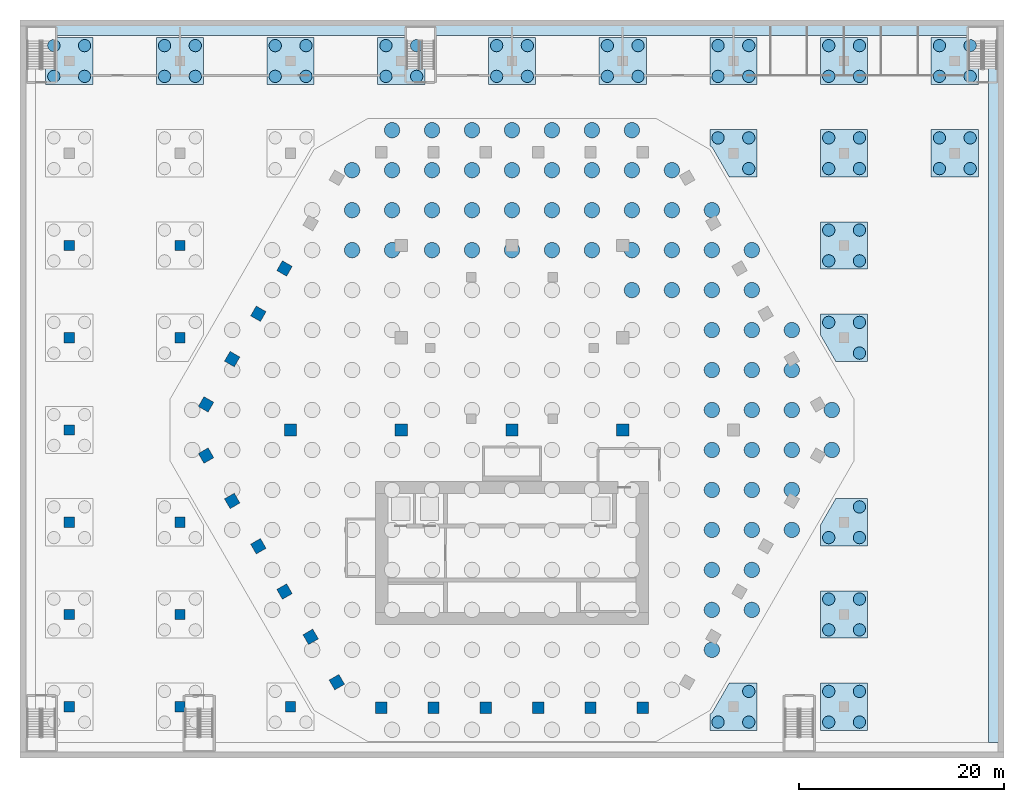
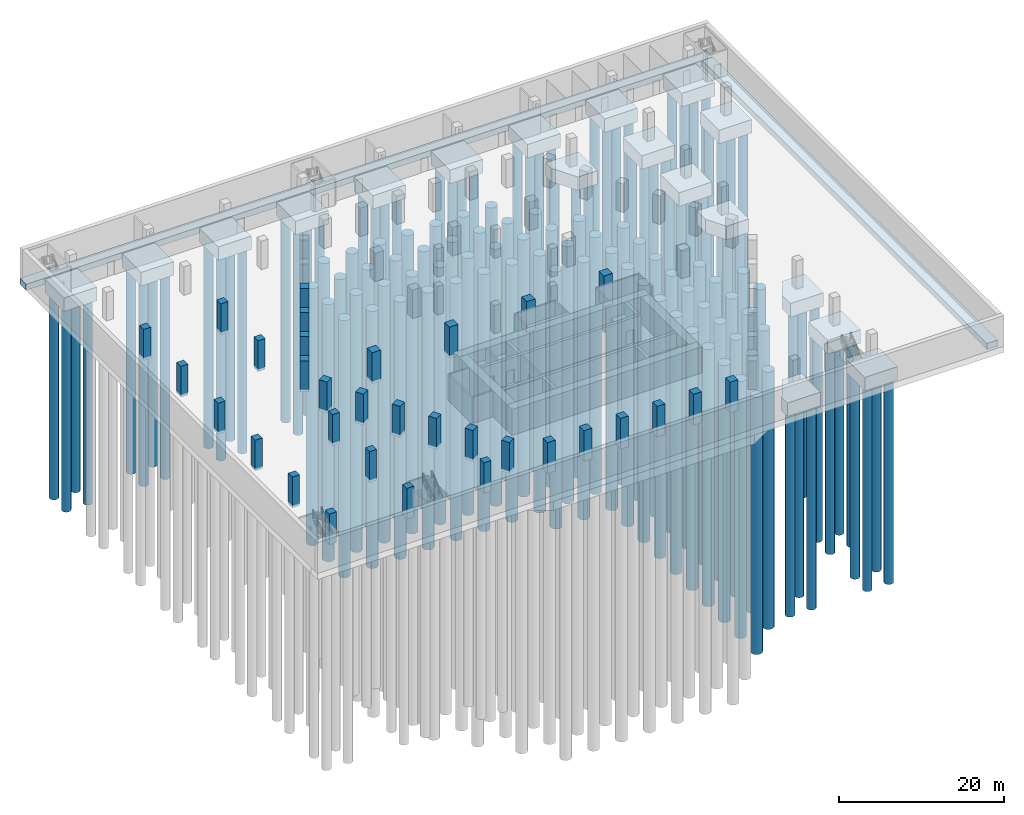
# One storey, part 2 of 21: 134 piles, 32 columns, 20 footings.
"""IFC4 building model written with IfcOpenShell, lengths in metres."""

from ifc_helpers import new_model, si_unit, direction, frame, origin, origin_2d, place, context, subcontext, project, spatial, polyline, rectangle, circle, outline, extrude, material, material_profile, profile_set, type_object, element, save


model = new_model("IFC4")

# Units and contexts
model_context = context("Model", 3, precision=1e-05, world=origin(), true_north=direction((0.0, 1.0)))
body_context = subcontext(model_context, "Body", "Model", "MODEL_VIEW")
ifc_project = project(units=[si_unit("LENGTHUNIT", "METRE"), si_unit("AREAUNIT", "SQUARE_METRE"), si_unit("VOLUMEUNIT", "CUBIC_METRE"), si_unit("PLANEANGLEUNIT", "RADIAN"), si_unit("MASSUNIT", "GRAM", prefix="KILO")], contexts=[model_context])

# Site, building, storey
site_placement = place(None, origin())
site = spatial("IfcSite", under=ifc_project, at=site_placement, CompositionType="ELEMENT")
building_placement = place(site_placement, origin())
building = spatial("IfcBuilding", under=site, at=building_placement, Name="Beryl Residences", CompositionType="ELEMENT")
storey_placement = place(building_placement, frame((0.0, 0.0, -8.39990234375)))
storey = spatial("IfcBuildingStorey", under=building, at=storey_placement, Name="B2", CompositionType="ELEMENT", Elevation=-8.39990234375)

# Piles
ifc_material_1 = material(Name="Concrete C40/50", Category="concrete")
ifc_material_profile_1 = material_profile(ifc_material_1, circle(Radius=0.75, at=origin_2d()))
ifc_profile_set_1 = profile_set([ifc_material_profile_1], Name="Concrete C40/50")
pile_type_1 = type_object("IfcPileType", Name="BP1 bored pile 1500 mm C40/50", PredefinedType="BORED", material=ifc_profile_set_1)
for number, where, z_axis, x_axis, name in (
    (1, (19.5, -21.449951171875, -3.85009765625), (0.0, 0.0, -1.0), (1.0, 0.0, 0.0), "BP1 pile R027"),
    (2, (19.5, -17.550048828125, -3.85009765625), (0.0, 0.0, -1.0), (1.0, 0.0, 0.0), "BP1 pile R039"),
    (3, (23.39990234375, -17.550048828125, -3.85009765625), (0.0, 0.0, -1.0), (1.0, 0.0, 0.0), "BP1 pile R040"),
    (4, (19.5, -13.64990234375, -3.85009765625), (0.0, 0.0, -1.0), (1.0, 0.0, 0.0), "BP1 pile R052"),
    (5, (23.39990234375, -13.64990234375, -3.85009765625), (0.0, 0.0, -1.0), (1.0, 0.0, 0.0), "BP1 pile R053"),
    (6, (19.5, -9.75, -3.85009765625), (0.0, 0.0, -1.0), (1.0, 0.0, 0.0), "BP1 pile R066"),
    (7, (23.39990234375, -9.75, -3.85009765625), (0.0, 0.0, -1.0), (1.0, 0.0, 0.0), "BP1 pile R067"),
    (8, (27.300048828125, -9.75, -3.85009765625), (0.0, 0.0, -1.0), (1.0, 0.0, 0.0), "BP1 pile R068"),
    (9, (19.5, -5.85009765625, -3.85009765625), (0.0, 0.0, -1.0), (1.0, 0.0, 0.0), "BP1 pile R081"),
    (10, (23.39990234375, -5.85009765625, -3.85009765625), (0.0, 0.0, -1.0), (1.0, 0.0, 0.0), "BP1 pile R082"),
    (11, (27.300048828125, -5.85009765625, -3.85009765625), (0.0, 0.0, -1.0), (1.0, 0.0, 0.0), "BP1 pile R083"),
    (12, (19.5, -1.949951171875, -3.85009765625), (0.0, 0.0, -1.0), (1.0, 0.0, 0.0), "BP1 pile R097"),
    (13, (23.39990234375, -1.949951171875, -3.85009765625), (0.0, 0.0, -1.0), (1.0, 0.0, 0.0), "BP1 pile R098"),
    (14, (27.300048828125, -1.949951171875, -3.85009765625), (0.0, 0.0, -1.0), (1.0, 0.0, 0.0), "BP1 pile R099"),
    (15, (31.199951171875, -1.949951171875, -3.85009765625), (0.0, 0.0, -1.0), (1.0, 0.0, 0.0), "BP1 pile R100"),
    (16, (19.5, 1.949951171875, -3.85009765625), (0.0, 0.0, -1.0), (1.0, 0.0, 0.0), "BP1 pile R114"),
    (17, (23.39990234375, 1.949951171875, -3.85009765625), (0.0, 0.0, -1.0), (1.0, 0.0, 0.0), "BP1 pile R115"),
    (18, (27.300048828125, 1.949951171875, -3.85009765625), (0.0, 0.0, -1.0), (1.0, 0.0, 0.0), "BP1 pile R116"),
    (19, (31.199951171875, 1.949951171875, -3.85009765625), (0.0, 0.0, -1.0), (1.0, 0.0, 0.0), "BP1 pile R117"),
    (20, (19.5, 5.85009765625, -3.85009765625), (0.0, 0.0, -1.0), (1.0, 0.0, 0.0), "BP1 pile R130"),
    (21, (23.39990234375, 5.85009765625, -3.85009765625), (0.0, 0.0, -1.0), (1.0, 0.0, 0.0), "BP1 pile R131"),
    (22, (27.300048828125, 5.85009765625, -3.85009765625), (0.0, 0.0, -1.0), (1.0, 0.0, 0.0), "BP1 pile R132"),
    (23, (19.5, 9.75, -3.85009765625), (0.0, 0.0, -1.0), (1.0, 0.0, 0.0), "BP1 pile R145"),
    (24, (23.39990234375, 9.75, -3.85009765625), (0.0, 0.0, -1.0), (1.0, 0.0, 0.0), "BP1 pile R146"),
    (25, (27.300048828125, 9.75, -3.85009765625), (0.0, 0.0, -1.0), (1.0, 0.0, 0.0), "BP1 pile R147"),
    (26, (11.699951171875, 13.64990234375, -3.85009765625), (0.0, 0.0, -1.0), (1.0, 0.0, 0.0), "BP1 pile R157"),
    (27, (15.60009765625, 13.64990234375, -3.85009765625), (0.0, 0.0, -1.0), (1.0, 0.0, 0.0), "BP1 pile R158"),
    (28, (19.5, 13.64990234375, -3.85009765625), (0.0, 0.0, -1.0), (1.0, 0.0, 0.0), "BP1 pile R159"),
    (29, (23.39990234375, 13.64990234375, -3.85009765625), (0.0, 0.0, -1.0), (1.0, 0.0, 0.0), "BP1 pile R160"),
    (30, (-15.60009765625, 17.550048828125, -3.85009765625), (0.0, 0.0, -1.0), (1.0, 0.0, 0.0), "BP1 pile R163"),
    (31, (-11.699951171875, 17.550048828125, -3.85009765625), (0.0, 0.0, -1.0), (1.0, 0.0, 0.0), "BP1 pile R164"),
    (32, (-7.800048828125, 17.550048828125, -3.85009765625), (0.0, 0.0, -1.0), (1.0, 0.0, 0.0), "BP1 pile R165"),
    (33, (-3.89990234375, 17.550048828125, -3.85009765625), (0.0, 0.0, -1.0), (1.0, 0.0, 0.0), "BP1 pile R166"),
    (34, (0.0, 17.550048828125, -3.85009765625), (0.0, 0.0, -1.0), (1.0, 0.0, 0.0), "BP1 pile R167"),
    (35, (3.89990234375, 17.550048828125, -3.85009765625), (0.0, 0.0, -1.0), (1.0, 0.0, 0.0), "BP1 pile R168"),
    (36, (7.800048828125, 17.550048828125, -3.85009765625), (0.0, 0.0, -1.0), (1.0, 0.0, 0.0), "BP1 pile R169"),
    (37, (11.699951171875, 17.550048828125, -3.85009765625), (0.0, 0.0, -1.0), (1.0, 0.0, 0.0), "BP1 pile R170"),
    (38, (15.60009765625, 17.550048828125, -3.85009765625), (0.0, 0.0, -1.0), (1.0, 0.0, 0.0), "BP1 pile R171"),
    (39, (19.5, 17.550048828125, -3.85009765625), (0.0, 0.0, -1.0), (1.0, 0.0, 0.0), "BP1 pile R172"),
    (40, (23.39990234375, 17.550048828125, -3.85009765625), (0.0, 0.0, -1.0), (1.0, 0.0, 0.0), "BP1 pile R173"),
    (41, (-15.60009765625, 21.449951171875, -3.85009765625), (0.0, 0.0, -1.0), (1.0, 0.0, 0.0), "BP1 pile R175"),
    (42, (-11.699951171875, 21.449951171875, -3.85009765625), (0.0, 0.0, -1.0), (1.0, 0.0, 0.0), "BP1 pile R176"),
    (43, (-7.800048828125, 21.449951171875, -3.85009765625), (0.0, 0.0, -1.0), (1.0, 0.0, 0.0), "BP1 pile R177"),
    (44, (-3.89990234375, 21.449951171875, -3.85009765625), (0.0, 0.0, -1.0), (1.0, 0.0, 0.0), "BP1 pile R178"),
    (45, (0.0, 21.449951171875, -3.85009765625), (0.0, 0.0, -1.0), (1.0, 0.0, 0.0), "BP1 pile R179"),
    (46, (3.89990234375, 21.449951171875, -3.85009765625), (0.0, 0.0, -1.0), (1.0, 0.0, 0.0), "BP1 pile R180"),
    (47, (7.800048828125, 21.449951171875, -3.85009765625), (0.0, 0.0, -1.0), (1.0, 0.0, 0.0), "BP1 pile R181"),
    (48, (11.699951171875, 21.449951171875, -3.85009765625), (0.0, 0.0, -1.0), (1.0, 0.0, 0.0), "BP1 pile R182"),
    (49, (15.60009765625, 21.449951171875, -3.85009765625), (0.0, 0.0, -1.0), (1.0, 0.0, 0.0), "BP1 pile R183"),
    (50, (19.5, 21.449951171875, -3.85009765625), (0.0, 0.0, -1.0), (1.0, 0.0, 0.0), "BP1 pile R184"),
    (51, (-15.60009765625, 25.35009765625, -3.85009765625), (0.0, 0.0, -1.0), (1.0, 0.0, 0.0), "BP1 pile R185"),
    (52, (-11.699951171875, 25.35009765625, -3.85009765625), (0.0, 0.0, -1.0), (1.0, 0.0, 0.0), "BP1 pile R186"),
    (53, (-7.800048828125, 25.35009765625, -3.85009765625), (0.0, 0.0, -1.0), (1.0, 0.0, 0.0), "BP1 pile R187"),
    (54, (-3.89990234375, 25.35009765625, -3.85009765625), (0.0, 0.0, -1.0), (1.0, 0.0, 0.0), "BP1 pile R188"),
    (55, (0.0, 25.35009765625, -3.85009765625), (0.0, 0.0, -1.0), (1.0, 0.0, 0.0), "BP1 pile R189"),
    (56, (3.89990234375, 25.35009765625, -3.85009765625), (0.0, 0.0, -1.0), (1.0, 0.0, 0.0), "BP1 pile R190"),
    (57, (7.800048828125, 25.35009765625, -3.85009765625), (0.0, 0.0, -1.0), (1.0, 0.0, 0.0), "BP1 pile R191"),
    (58, (11.699951171875, 25.35009765625, -3.85009765625), (0.0, 0.0, -1.0), (1.0, 0.0, 0.0), "BP1 pile R192"),
    (59, (15.60009765625, 25.35009765625, -3.85009765625), (0.0, 0.0, -1.0), (1.0, 0.0, 0.0), "BP1 pile R193"),
    (60, (-11.699951171875, 29.25, -3.85009765625), (0.0, 0.0, -1.0), (1.0, 0.0, 0.0), "BP1 pile R194"),
    (61, (-7.800048828125, 29.25, -3.85009765625), (0.0, 0.0, -1.0), (1.0, 0.0, 0.0), "BP1 pile R195"),
    (62, (-3.89990234375, 29.25, -3.85009765625), (0.0, 0.0, -1.0), (1.0, 0.0, 0.0), "BP1 pile R196"),
    (63, (0.0, 29.25, -3.85009765625), (0.0, 0.0, -1.0), (1.0, 0.0, 0.0), "BP1 pile R197"),
    (64, (3.89990234375, 29.25, -3.85009765625), (0.0, 0.0, -1.0), (1.0, 0.0, 0.0), "BP1 pile R198"),
    (65, (7.800048828125, 29.25, -3.85009765625), (0.0, 0.0, -1.0), (1.0, 0.0, 0.0), "BP1 pile R199"),
    (66, (11.699951171875, 29.25, -3.85009765625), (0.0, 0.0, -1.0), (1.0, 0.0, 0.0), "BP1 pile R200"),
):
    element("IfcPile", number, at=place(storey_placement, frame(where, z_axis=z_axis, x_axis=x_axis)), inside=storey, type_object=pile_type_1, Name=name, PredefinedType="BORED", context=body_context, shape_type="SweptSolid", body=[
        extrude(circle(Radius=0.75, at=origin_2d()), origin(), (0.0, 0.0, 1.0), 38.0),
    ])
ifc_material_2 = material(Name="Concrete C40/50", Category="concrete")
ifc_material_profile_2 = material_profile(ifc_material_2, circle(Radius=0.60009765625, at=origin_2d()))
ifc_profile_set_2 = profile_set([ifc_material_profile_2], Name="Concrete C40/50")
pile_type_2 = type_object("IfcPileType", Name="BP2 bored pile 1200 mm C40/50", PredefinedType="BORED", material=ifc_profile_set_2)
for number, where, z_axis, x_axis, name in (
    (67, (-44.699951171875, 34.5, -2.35009765625), (0.0, 0.0, -1.0), (1.0, 0.0, 0.0), "BP2 pile PG-1H-1"),
    (68, (-44.699951171875, 37.5, -2.35009765625), (0.0, 0.0, -1.0), (1.0, 0.0, 0.0), "BP2 pile PG-1H-2"),
    (69, (-41.699951171875, 34.5, -2.35009765625), (0.0, 0.0, -1.0), (1.0, 0.0, 0.0), "BP2 pile PG-1H-3"),
    (70, (-41.699951171875, 37.5, -2.35009765625), (0.0, 0.0, -1.0), (1.0, 0.0, 0.0), "BP2 pile PG-1H-4"),
    (71, (-33.89990234375, 34.5, -2.35009765625), (0.0, 0.0, -1.0), (1.0, 0.0, 0.0), "BP2 pile PG-2H-1"),
    (72, (-33.89990234375, 37.5, -2.35009765625), (0.0, 0.0, -1.0), (1.0, 0.0, 0.0), "BP2 pile PG-2H-2"),
    (73, (-30.89990234375, 34.5, -2.35009765625), (0.0, 0.0, -1.0), (1.0, 0.0, 0.0), "BP2 pile PG-2H-3"),
    (74, (-30.89990234375, 37.5, -2.35009765625), (0.0, 0.0, -1.0), (1.0, 0.0, 0.0), "BP2 pile PG-2H-4"),
    (75, (-23.10009765625, 34.5, -2.35009765625), (0.0, 0.0, -1.0), (1.0, 0.0, 0.0), "BP2 pile PG-3H-1"),
    (76, (-23.10009765625, 37.5, -2.35009765625), (0.0, 0.0, -1.0), (1.0, 0.0, 0.0), "BP2 pile PG-3H-2"),
    (77, (-20.10009765625, 34.5, -2.35009765625), (0.0, 0.0, -1.0), (1.0, 0.0, 0.0), "BP2 pile PG-3H-3"),
    (78, (-20.10009765625, 37.5, -2.35009765625), (0.0, 0.0, -1.0), (1.0, 0.0, 0.0), "BP2 pile PG-3H-4"),
    (79, (-12.300048828125, 34.5, -2.35009765625), (0.0, 0.0, -1.0), (1.0, 0.0, 0.0), "BP2 pile PG-4H-1"),
    (80, (-12.300048828125, 37.5, -2.35009765625), (0.0, 0.0, -1.0), (1.0, 0.0, 0.0), "BP2 pile PG-4H-2"),
    (81, (-9.300048828125, 34.5, -2.35009765625), (0.0, 0.0, -1.0), (1.0, 0.0, 0.0), "BP2 pile PG-4H-3"),
    (82, (-9.300048828125, 37.5, -2.35009765625), (0.0, 0.0, -1.0), (1.0, 0.0, 0.0), "BP2 pile PG-4H-4"),
    (83, (-1.5, 34.5, -2.35009765625), (0.0, 0.0, -1.0), (1.0, 0.0, 0.0), "BP2 pile PG-5H-1"),
    (84, (-1.5, 37.5, -2.35009765625), (0.0, 0.0, -1.0), (1.0, 0.0, 0.0), "BP2 pile PG-5H-2"),
    (85, (1.5, 34.5, -2.35009765625), (0.0, 0.0, -1.0), (1.0, 0.0, 0.0), "BP2 pile PG-5H-3"),
    (86, (1.5, 37.5, -2.35009765625), (0.0, 0.0, -1.0), (1.0, 0.0, 0.0), "BP2 pile PG-5H-4"),
    (87, (9.300048828125, 34.5, -2.35009765625), (0.0, 0.0, -1.0), (1.0, 0.0, 0.0), "BP2 pile PG-6H-1"),
    (88, (9.300048828125, 37.5, -2.35009765625), (0.0, 0.0, -1.0), (1.0, 0.0, 0.0), "BP2 pile PG-6H-2"),
    (89, (12.300048828125, 34.5, -2.35009765625), (0.0, 0.0, -1.0), (1.0, 0.0, 0.0), "BP2 pile PG-6H-3"),
    (90, (12.300048828125, 37.5, -2.35009765625), (0.0, 0.0, -1.0), (1.0, 0.0, 0.0), "BP2 pile PG-6H-4"),
    (91, (20.10009765625, -28.5, -2.35009765625), (0.0, 0.0, -1.0), (1.0, 0.0, 0.0), "BP2 pile PG-7A-1"),
    (92, (23.10009765625, -28.5, -2.35009765625), (0.0, 0.0, -1.0), (1.0, 0.0, 0.0), "BP2 pile PG-7A-2"),
    (93, (23.10009765625, -25.5, -2.35009765625), (0.0, 0.0, -1.0), (1.0, 0.0, 0.0), "BP2 pile PG-7A-3"),
    (94, (20.10009765625, 28.5, -2.35009765625), (0.0, 0.0, -1.0), (1.0, 0.0, 0.0), "BP2 pile PG-7G-1"),
    (95, (23.10009765625, 25.5, -2.35009765625), (0.0, 0.0, -1.0), (1.0, 0.0, 0.0), "BP2 pile PG-7G-2"),
    (96, (23.10009765625, 28.5, -2.35009765625), (0.0, 0.0, -1.0), (1.0, 0.0, 0.0), "BP2 pile PG-7G-3"),
    (97, (20.10009765625, 34.5, -2.35009765625), (0.0, 0.0, -1.0), (1.0, 0.0, 0.0), "BP2 pile PG-7H-1"),
    (98, (20.10009765625, 37.5, -2.35009765625), (0.0, 0.0, -1.0), (1.0, 0.0, 0.0), "BP2 pile PG-7H-2"),
    (99, (23.10009765625, 34.5, -2.35009765625), (0.0, 0.0, -1.0), (1.0, 0.0, 0.0), "BP2 pile PG-7H-3"),
    (100, (23.10009765625, 37.5, -2.35009765625), (0.0, 0.0, -1.0), (1.0, 0.0, 0.0), "BP2 pile PG-7H-4"),
    (101, (30.89990234375, -28.5, -2.35009765625), (0.0, 0.0, -1.0), (1.0, 0.0, 0.0), "BP2 pile PG-8A-1"),
    (102, (30.89990234375, -25.5, -2.35009765625), (0.0, 0.0, -1.0), (1.0, 0.0, 0.0), "BP2 pile PG-8A-2"),
    (103, (33.89990234375, -28.5, -2.35009765625), (0.0, 0.0, -1.0), (1.0, 0.0, 0.0), "BP2 pile PG-8A-3"),
    (104, (33.89990234375, -25.5, -2.35009765625), (0.0, 0.0, -1.0), (1.0, 0.0, 0.0), "BP2 pile PG-8A-4"),
    (105, (30.89990234375, -19.5, -2.35009765625), (0.0, 0.0, -1.0), (1.0, 0.0, 0.0), "BP2 pile PG-8B-1"),
    (106, (30.89990234375, -16.5, -2.35009765625), (0.0, 0.0, -1.0), (1.0, 0.0, 0.0), "BP2 pile PG-8B-2"),
    (107, (33.89990234375, -19.5, -2.35009765625), (0.0, 0.0, -1.0), (1.0, 0.0, 0.0), "BP2 pile PG-8B-3"),
    (108, (33.89990234375, -16.5, -2.35009765625), (0.0, 0.0, -1.0), (1.0, 0.0, 0.0), "BP2 pile PG-8B-4"),
    (109, (30.89990234375, -10.5, -2.35009765625), (0.0, 0.0, -1.0), (1.0, 0.0, 0.0), "BP2 pile PG-8C-1"),
    (110, (33.89990234375, -10.5, -2.35009765625), (0.0, 0.0, -1.0), (1.0, 0.0, 0.0), "BP2 pile PG-8C-2"),
    (111, (33.89990234375, -7.5, -2.35009765625), (0.0, 0.0, -1.0), (1.0, 0.0, 0.0), "BP2 pile PG-8C-3"),
    (112, (30.89990234375, 10.5, -2.35009765625), (0.0, 0.0, -1.0), (1.0, 0.0, 0.0), "BP2 pile PG-8E-1"),
    (113, (33.89990234375, 7.5, -2.35009765625), (0.0, 0.0, -1.0), (1.0, 0.0, 0.0), "BP2 pile PG-8E-2"),
    (114, (33.89990234375, 10.5, -2.35009765625), (0.0, 0.0, -1.0), (1.0, 0.0, 0.0), "BP2 pile PG-8E-3"),
    (115, (30.89990234375, 16.5, -2.35009765625), (0.0, 0.0, -1.0), (1.0, 0.0, 0.0), "BP2 pile PG-8F-1"),
    (116, (30.89990234375, 19.5, -2.35009765625), (0.0, 0.0, -1.0), (1.0, 0.0, 0.0), "BP2 pile PG-8F-2"),
    (117, (33.89990234375, 16.5, -2.35009765625), (0.0, 0.0, -1.0), (1.0, 0.0, 0.0), "BP2 pile PG-8F-3"),
    (118, (33.89990234375, 19.5, -2.35009765625), (0.0, 0.0, -1.0), (1.0, 0.0, 0.0), "BP2 pile PG-8F-4"),
    (119, (30.89990234375, 25.5, -2.35009765625), (0.0, 0.0, -1.0), (1.0, 0.0, 0.0), "BP2 pile PG-8G-1"),
    (120, (30.89990234375, 28.5, -2.35009765625), (0.0, 0.0, -1.0), (1.0, 0.0, 0.0), "BP2 pile PG-8G-2"),
    (121, (33.89990234375, 25.5, -2.35009765625), (0.0, 0.0, -1.0), (1.0, 0.0, 0.0), "BP2 pile PG-8G-3"),
    (122, (33.89990234375, 28.5, -2.35009765625), (0.0, 0.0, -1.0), (1.0, 0.0, 0.0), "BP2 pile PG-8G-4"),
    (123, (30.89990234375, 34.5, -2.35009765625), (0.0, 0.0, -1.0), (1.0, 0.0, 0.0), "BP2 pile PG-8H-1"),
    (124, (30.89990234375, 37.5, -2.35009765625), (0.0, 0.0, -1.0), (1.0, 0.0, 0.0), "BP2 pile PG-8H-2"),
    (125, (33.89990234375, 34.5, -2.35009765625), (0.0, 0.0, -1.0), (1.0, 0.0, 0.0), "BP2 pile PG-8H-3"),
    (126, (33.89990234375, 37.5, -2.35009765625), (0.0, 0.0, -1.0), (1.0, 0.0, 0.0), "BP2 pile PG-8H-4"),
    (127, (41.699951171875, 25.5, -2.35009765625), (0.0, 0.0, -1.0), (1.0, 0.0, 0.0), "BP2 pile PG-9G-1"),
    (128, (41.699951171875, 28.5, -2.35009765625), (0.0, 0.0, -1.0), (1.0, 0.0, 0.0), "BP2 pile PG-9G-2"),
    (129, (44.699951171875, 25.5, -2.35009765625), (0.0, 0.0, -1.0), (1.0, 0.0, 0.0), "BP2 pile PG-9G-3"),
    (130, (44.699951171875, 28.5, -2.35009765625), (0.0, 0.0, -1.0), (1.0, 0.0, 0.0), "BP2 pile PG-9G-4"),
    (131, (41.699951171875, 34.5, -2.35009765625), (0.0, 0.0, -1.0), (1.0, 0.0, 0.0), "BP2 pile PG-9H-1"),
    (132, (41.699951171875, 37.5, -2.35009765625), (0.0, 0.0, -1.0), (1.0, 0.0, 0.0), "BP2 pile PG-9H-2"),
    (133, (44.699951171875, 34.5, -2.35009765625), (0.0, 0.0, -1.0), (1.0, 0.0, 0.0), "BP2 pile PG-9H-3"),
    (134, (44.699951171875, 37.5, -2.35009765625), (0.0, 0.0, -1.0), (1.0, 0.0, 0.0), "BP2 pile PG-9H-4"),
):
    element("IfcPile", number, at=place(storey_placement, frame(where, z_axis=z_axis, x_axis=x_axis)), inside=storey, type_object=pile_type_2, Name=name, PredefinedType="BORED", context=body_context, shape_type="SweptSolid", body=[
        extrude(circle(Radius=0.60009765625, at=origin_2d()), origin(), (0.0, 0.0, 1.0), 30.0),
    ])

# Footings
ifc_material_3 = material(Name="Concrete C50/60", Category="concrete")
footing_type_1 = type_object("IfcFootingType", Name="F2 pile cap 2000 mm C50/60", PredefinedType="PILE_CAP", material=ifc_material_3)
footing_1_placement = place(storey_placement, frame((0.0, 0.0, -2.35009765625)))
element("IfcFooting", 135, at=footing_1_placement, inside=storey, type_object=footing_type_1, Name="F2 pile cap PG-1H", PredefinedType="PILE_CAP", context=body_context, shape_type="SweptSolid", body=[
    extrude(outline(polyline([(-45.5, 33.699951171875), (-45.5, 38.300048828125), (-40.89990234375, 38.300048828125), (-40.89990234375, 33.699951171875), (-45.5, 33.699951171875)])), origin(), (0.0, 0.0, 1.0), 2.0),
])
footing_2_placement = place(storey_placement, frame((0.0, 0.0, -2.35009765625)))
element("IfcFooting", 136, at=footing_2_placement, inside=storey, type_object=footing_type_1, Name="F2 pile cap PG-2H", PredefinedType="PILE_CAP", context=body_context, shape_type="SweptSolid", body=[
    extrude(outline(polyline([(-34.699951171875, 33.699951171875), (-34.699951171875, 38.300048828125), (-30.10009765625, 38.300048828125), (-30.10009765625, 33.699951171875), (-34.699951171875, 33.699951171875)])), origin(), (0.0, 0.0, 1.0), 2.0),
])
footing_3_placement = place(storey_placement, frame((0.0, 0.0, -2.35009765625)))
element("IfcFooting", 137, at=footing_3_placement, inside=storey, type_object=footing_type_1, Name="F2 pile cap PG-3H", PredefinedType="PILE_CAP", context=body_context, shape_type="SweptSolid", body=[
    extrude(outline(polyline([(-23.89990234375, 33.699951171875), (-23.89990234375, 38.300048828125), (-19.300048828125, 38.300048828125), (-19.300048828125, 33.699951171875), (-23.89990234375, 33.699951171875)])), origin(), (0.0, 0.0, 1.0), 2.0),
])
footing_4_placement = place(storey_placement, frame((0.0, 0.0, -2.35009765625)))
element("IfcFooting", 138, at=footing_4_placement, inside=storey, type_object=footing_type_1, Name="F2 pile cap PG-4H", PredefinedType="PILE_CAP", context=body_context, shape_type="SweptSolid", body=[
    extrude(outline(polyline([(-13.10009765625, 33.699951171875), (-13.10009765625, 38.300048828125), (-8.5, 38.300048828125), (-8.5, 33.699951171875), (-13.10009765625, 33.699951171875)])), origin(), (0.0, 0.0, 1.0), 2.0),
])
footing_5_placement = place(storey_placement, frame((0.0, 0.0, -2.35009765625)))
element("IfcFooting", 139, at=footing_5_placement, inside=storey, type_object=footing_type_1, Name="F2 pile cap PG-5H", PredefinedType="PILE_CAP", context=body_context, shape_type="SweptSolid", body=[
    extrude(outline(polyline([(-2.300048828125, 33.699951171875), (-2.300048828125, 38.300048828125), (2.300048828125, 38.300048828125), (2.300048828125, 33.699951171875), (-2.300048828125, 33.699951171875)])), origin(), (0.0, 0.0, 1.0), 2.0),
])
footing_6_placement = place(storey_placement, frame((0.0, 0.0, -2.35009765625)))
element("IfcFooting", 140, at=footing_6_placement, inside=storey, type_object=footing_type_1, Name="F2 pile cap PG-6H", PredefinedType="PILE_CAP", context=body_context, shape_type="SweptSolid", body=[
    extrude(outline(polyline([(8.5, 33.699951171875), (8.5, 38.300048828125), (13.10009765625, 38.300048828125), (13.10009765625, 33.699951171875), (8.5, 33.699951171875)])), origin(), (0.0, 0.0, 1.0), 2.0),
])
footing_7_placement = place(storey_placement, frame((0.0, 0.0, -2.35009765625)))
element("IfcFooting", 141, at=footing_7_placement, inside=storey, type_object=footing_type_1, Name="F2 pile cap PG-7A", PredefinedType="PILE_CAP", context=body_context, shape_type="SweptSolid", body=[
    extrude(outline(polyline([(23.89990234375, -24.699951171875), (23.89990234375, -29.300048828125), (19.300048828125, -29.300048828125), (19.300048828125, -27.712646484375), (19.4541015625, -27.623779296875), (19.480224609375, -27.606689453125), (19.504638671875, -27.5869140625), (19.52685546875, -27.564697265625), (19.546630859375, -27.540283203125), (19.563720703125, -27.513916015625), (21.1884765625, -24.699951171875), (23.89990234375, -24.699951171875)])), origin(), (0.0, 0.0, 1.0), 2.0),
])
footing_8_placement = place(storey_placement, frame((0.0, 0.0, -2.35009765625)))
element("IfcFooting", 142, at=footing_8_placement, inside=storey, type_object=footing_type_1, Name="F2 pile cap PG-7G", PredefinedType="PILE_CAP", context=body_context, shape_type="SweptSolid", body=[
    extrude(outline(polyline([(19.300048828125, 29.300048828125), (23.89990234375, 29.300048828125), (23.89990234375, 24.699951171875), (21.1884765625, 24.699951171875), (19.563720703125, 27.513916015625), (19.546630859375, 27.540283203125), (19.52685546875, 27.564697265625), (19.504638671875, 27.5869140625), (19.480224609375, 27.606689453125), (19.4541015625, 27.623779296875), (19.300048828125, 27.712646484375), (19.300048828125, 29.300048828125)])), origin(), (0.0, 0.0, 1.0), 2.0),
])
footing_9_placement = place(storey_placement, frame((0.0, 0.0, -2.35009765625)))
element("IfcFooting", 143, at=footing_9_placement, inside=storey, type_object=footing_type_1, Name="F2 pile cap PG-7H", PredefinedType="PILE_CAP", context=body_context, shape_type="SweptSolid", body=[
    extrude(outline(polyline([(19.300048828125, 33.699951171875), (19.300048828125, 38.300048828125), (23.89990234375, 38.300048828125), (23.89990234375, 33.699951171875), (19.300048828125, 33.699951171875)])), origin(), (0.0, 0.0, 1.0), 2.0),
])
footing_10_placement = place(storey_placement, frame((0.0, 0.0, -2.35009765625)))
element("IfcFooting", 144, at=footing_10_placement, inside=storey, type_object=footing_type_1, Name="F2 pile cap PG-8A", PredefinedType="PILE_CAP", context=body_context, shape_type="SweptSolid", body=[
    extrude(outline(polyline([(30.10009765625, -29.300048828125), (30.10009765625, -24.699951171875), (34.699951171875, -24.699951171875), (34.699951171875, -29.300048828125), (30.10009765625, -29.300048828125)])), origin(), (0.0, 0.0, 1.0), 2.0),
])
footing_11_placement = place(storey_placement, frame((0.0, 0.0, -2.35009765625)))
element("IfcFooting", 145, at=footing_11_placement, inside=storey, type_object=footing_type_1, Name="F2 pile cap PG-8B", PredefinedType="PILE_CAP", context=body_context, shape_type="SweptSolid", body=[
    extrude(outline(polyline([(30.10009765625, -20.300048828125), (30.10009765625, -15.699951171875), (34.699951171875, -15.699951171875), (34.699951171875, -20.300048828125), (30.10009765625, -20.300048828125)])), origin(), (0.0, 0.0, 1.0), 2.0),
])
footing_12_placement = place(storey_placement, frame((0.0, 0.0, -2.35009765625)))
element("IfcFooting", 146, at=footing_12_placement, inside=storey, type_object=footing_type_1, Name="F2 pile cap PG-8C", PredefinedType="PILE_CAP", context=body_context, shape_type="SweptSolid", body=[
    extrude(outline(polyline([(34.699951171875, -6.699951171875), (34.699951171875, -11.300048828125), (30.10009765625, -11.300048828125), (30.10009765625, -9.26513671875), (31.5810546875, -6.699951171875), (34.699951171875, -6.699951171875)])), origin(), (0.0, 0.0, 1.0), 2.0),
])
footing_13_placement = place(storey_placement, frame((0.0, 0.0, -2.35009765625)))
element("IfcFooting", 147, at=footing_13_placement, inside=storey, type_object=footing_type_1, Name="F2 pile cap PG-8E", PredefinedType="PILE_CAP", context=body_context, shape_type="SweptSolid", body=[
    extrude(outline(polyline([(30.10009765625, 11.300048828125), (34.699951171875, 11.300048828125), (34.699951171875, 6.699951171875), (31.5810546875, 6.699951171875), (30.10009765625, 9.26513671875), (30.10009765625, 11.300048828125)])), origin(), (0.0, 0.0, 1.0), 2.0),
])
footing_14_placement = place(storey_placement, frame((0.0, 0.0, -2.35009765625)))
element("IfcFooting", 148, at=footing_14_placement, inside=storey, type_object=footing_type_1, Name="F2 pile cap PG-8F", PredefinedType="PILE_CAP", context=body_context, shape_type="SweptSolid", body=[
    extrude(outline(polyline([(30.10009765625, 15.699951171875), (30.10009765625, 20.300048828125), (34.699951171875, 20.300048828125), (34.699951171875, 15.699951171875), (30.10009765625, 15.699951171875)])), origin(), (0.0, 0.0, 1.0), 2.0),
])
footing_15_placement = place(storey_placement, frame((0.0, 0.0, -2.35009765625)))
element("IfcFooting", 149, at=footing_15_placement, inside=storey, type_object=footing_type_1, Name="F2 pile cap PG-8G", PredefinedType="PILE_CAP", context=body_context, shape_type="SweptSolid", body=[
    extrude(outline(polyline([(30.10009765625, 24.699951171875), (30.10009765625, 29.300048828125), (34.699951171875, 29.300048828125), (34.699951171875, 24.699951171875), (30.10009765625, 24.699951171875)])), origin(), (0.0, 0.0, 1.0), 2.0),
])
footing_16_placement = place(storey_placement, frame((0.0, 0.0, -2.35009765625)))
element("IfcFooting", 150, at=footing_16_placement, inside=storey, type_object=footing_type_1, Name="F2 pile cap PG-8H", PredefinedType="PILE_CAP", context=body_context, shape_type="SweptSolid", body=[
    extrude(outline(polyline([(30.10009765625, 33.699951171875), (30.10009765625, 38.300048828125), (34.699951171875, 38.300048828125), (34.699951171875, 33.699951171875), (30.10009765625, 33.699951171875)])), origin(), (0.0, 0.0, 1.0), 2.0),
])
footing_17_placement = place(storey_placement, frame((0.0, 0.0, -2.35009765625)))
element("IfcFooting", 151, at=footing_17_placement, inside=storey, type_object=footing_type_1, Name="F2 pile cap PG-9G", PredefinedType="PILE_CAP", context=body_context, shape_type="SweptSolid", body=[
    extrude(outline(polyline([(40.89990234375, 24.699951171875), (40.89990234375, 29.300048828125), (45.5, 29.300048828125), (45.5, 24.699951171875), (40.89990234375, 24.699951171875)])), origin(), (0.0, 0.0, 1.0), 2.0),
])
footing_18_placement = place(storey_placement, frame((0.0, 0.0, -2.35009765625)))
element("IfcFooting", 152, at=footing_18_placement, inside=storey, type_object=footing_type_1, Name="F2 pile cap PG-9H", PredefinedType="PILE_CAP", context=body_context, shape_type="SweptSolid", body=[
    extrude(outline(polyline([(40.89990234375, 33.699951171875), (40.89990234375, 38.300048828125), (45.5, 38.300048828125), (45.5, 33.699951171875), (40.89990234375, 33.699951171875)])), origin(), (0.0, 0.0, 1.0), 2.0),
])
ifc_material_4 = material(Name="Concrete C50/60", Category="concrete")
footing_type_2 = type_object("IfcFootingType", Name="F3 retaining wall footing 900 mm C50/60", PredefinedType="STRIP_FOOTING", material=ifc_material_4)
footing_19_placement = place(storey_placement, frame((0.0, 0.0, -1.25)))
element("IfcFooting", 153, at=footing_19_placement, inside=storey, type_object=footing_type_2, Name="F3 retaining wall footing N", PredefinedType="STRIP_FOOTING", context=body_context, shape_type="SweptSolid", body=[
    extrude(outline(polyline([(48.0, 38.5), (48.0, 40.0), (-48.0, 40.0), (-48.0, 38.5), (48.0, 38.5)])), origin(), (0.0, 0.0, 1.0), 0.89990234375),
])
footing_20_placement = place(storey_placement, frame((0.0, 0.0, -1.25)))
element("IfcFooting", 154, at=footing_20_placement, inside=storey, type_object=footing_type_2, Name="F3 retaining wall footing E", PredefinedType="STRIP_FOOTING", context=body_context, shape_type="SweptSolid", body=[
    extrude(outline(polyline([(48.0, -30.5), (48.0, 38.5), (46.5, 38.5), (46.5, -30.5), (48.0, -30.5)])), origin(), (0.0, 0.0, 1.0), 0.89990234375),
])

# Columns
ifc_material_5 = material(Name="Concrete C80/95", Category="concrete")
ifc_material_profile_3 = material_profile(ifc_material_5, rectangle(XDim=1.10009765625, YDim=1.10009765625, at=origin_2d()))
ifc_profile_set_3 = profile_set([ifc_material_profile_3], Name="Concrete C80/95")
column_type_1 = type_object("IfcColumnType", Name="C1 tube column 1100 x 1100 C80/95", PredefinedType="COLUMN", material=ifc_profile_set_3)
for number, where, z_axis, x_axis, name in (
    (155, (-22.194091796875, 15.759033203125, -0.35009765625), (0.0, 0.0, 1.0), (-0.499984884929, -0.866034130299, 0.0), "C1-NW3 B2"),
    (156, (-24.74609375, 11.339111328125, -0.35009765625), (0.0, 0.0, 1.0), (-0.499984884929, -0.866034130299, 0.0), "C1-NW4 B2"),
    (157, (-27.298095703125, 6.9189453125, -0.35009765625), (0.0, 0.0, 1.0), (-0.499984884929, -0.866034130299, 0.0), "C1-NW5 B2"),
    (158, (-29.84912109375, 2.4990234375, -0.35009765625), (0.0, 0.0, 1.0), (-0.499984884929, -0.866034130299, 0.0), "C1-NW6 B2"),
    (159, (-29.847900390625, -2.5, -0.35009765625), (0.0, 0.0, 1.0), (0.499984884929, -0.866034130299, 0.0), "C1-SW1 B2"),
    (160, (-27.297119140625, -6.9208984375, -0.35009765625), (0.0, 0.0, 1.0), (0.499984884929, -0.866034130299, 0.0), "C1-SW2 B2"),
    (161, (-24.7451171875, -11.341064453125, -0.35009765625), (0.0, 0.0, 1.0), (0.499984884929, -0.866034130299, 0.0), "C1-SW3 B2"),
    (162, (-22.193115234375, -15.760986328125, -0.35009765625), (0.0, 0.0, 1.0), (0.499984884929, -0.866034130299, 0.0), "C1-SW4 B2"),
    (163, (-19.64111328125, -20.180908203125, -0.35009765625), (0.0, 0.0, 1.0), (0.499984884929, -0.866034130299, 0.0), "C1-SW5 B2"),
    (164, (-17.089111328125, -24.60107421875, -0.35009765625), (0.0, 0.0, 1.0), (0.499984884929, -0.866034130299, 0.0), "C1-SW6 B2"),
    (165, (-12.759033203125, -27.10009765625, -0.35009765625), (0.0, 0.0, 1.0), (1.0, 0.0, 0.0), "C1-S1 B2"),
    (166, (-7.655029296875, -27.10009765625, -0.35009765625), (0.0, 0.0, 1.0), (1.0, 0.0, 0.0), "C1-S2 B2"),
    (167, (-2.551025390625, -27.10009765625, -0.35009765625), (0.0, 0.0, 1.0), (1.0, 0.0, 0.0), "C1-S3 B2"),
    (168, (2.552978515625, -27.10009765625, -0.35009765625), (0.0, 0.0, 1.0), (1.0, 0.0, 0.0), "C1-S4 B2"),
    (169, (7.656982421875, -27.10009765625, -0.35009765625), (0.0, 0.0, 1.0), (1.0, 0.0, 0.0), "C1-S5 B2"),
    (170, (12.760986328125, -27.10009765625, -0.35009765625), (0.0, 0.0, 1.0), (1.0, 0.0, 0.0), "C1-S6 B2"),
):
    element("IfcColumn", number, at=place(storey_placement, frame(where, z_axis=z_axis, x_axis=x_axis)), inside=storey, type_object=column_type_1, Name=name, PredefinedType="COLUMN", context=body_context, shape_type="SweptSolid", body=[
        extrude(rectangle(XDim=1.10009765625, YDim=1.10009765625, at=origin_2d()), origin(), (0.0, 0.0, 1.0), 4.550048828125),
    ])
ifc_material_6 = material(Name="Concrete C80/95", Category="concrete")
ifc_material_profile_4 = material_profile(ifc_material_6, rectangle(XDim=1.199951171875, YDim=1.199951171875, at=origin_2d()))
ifc_profile_set_4 = profile_set([ifc_material_profile_4], Name="Concrete C80/95")
column_type_2 = type_object("IfcColumnType", Name="IG1 grid column 1200 x 1200 C80/95", PredefinedType="COLUMN", material=ifc_profile_set_4)
for number, where, z_axis, x_axis, name in (
    (171, (-21.60009765625, 0.0, -0.35009765625), (0.0, 0.0, 1.0), (1.0, 0.0, 0.0), "IG-3D B2"),
    (172, (-10.800048828125, 0.0, -0.35009765625), (0.0, 0.0, 1.0), (1.0, 0.0, 0.0), "IG-4D B2"),
    (173, (0.0, 0.0, -0.35009765625), (0.0, 0.0, 1.0), (1.0, 0.0, 0.0), "IG-5D B2"),
    (174, (10.800048828125, 0.0, -0.35009765625), (0.0, 0.0, 1.0), (1.0, 0.0, 0.0), "IG-6D B2"),
):
    element("IfcColumn", number, at=place(storey_placement, frame(where, z_axis=z_axis, x_axis=x_axis)), inside=storey, type_object=column_type_2, Name=name, PredefinedType="COLUMN", context=body_context, shape_type="SweptSolid", body=[
        extrude(rectangle(XDim=1.199951171875, YDim=1.199951171875, at=origin_2d()), origin(), (0.0, 0.0, 1.0), 4.550048828125),
    ])
ifc_material_7 = material(Name="Concrete C50/60", Category="concrete")
ifc_material_profile_5 = material_profile(ifc_material_7, rectangle(XDim=1.0, YDim=1.0, at=origin_2d()))
ifc_profile_set_5 = profile_set([ifc_material_profile_5], Name="Concrete C50/60")
column_type_3 = type_object("IfcColumnType", Name="PCL1 podium column 1000 x 1000 C50/60", PredefinedType="COLUMN", material=ifc_profile_set_5)
for number, where, z_axis, x_axis, name in (
    (175, (-43.199951171875, -27.0, -0.35009765625), (0.0, 0.0, 1.0), (1.0, 0.0, 0.0), "PCL-1A B2"),
    (176, (-43.199951171875, -18.0, -0.35009765625), (0.0, 0.0, 1.0), (1.0, 0.0, 0.0), "PCL-1B B2"),
    (177, (-43.199951171875, -9.0, -0.35009765625), (0.0, 0.0, 1.0), (1.0, 0.0, 0.0), "PCL-1C B2"),
    (178, (-43.199951171875, 0.0, -0.35009765625), (0.0, 0.0, 1.0), (1.0, 0.0, 0.0), "PCL-1D B2"),
    (179, (-43.199951171875, 9.0, -0.35009765625), (0.0, 0.0, 1.0), (1.0, 0.0, 0.0), "PCL-1E B2"),
    (180, (-43.199951171875, 18.0, -0.35009765625), (0.0, 0.0, 1.0), (1.0, 0.0, 0.0), "PCL-1F B2"),
    (181, (-32.39990234375, -27.0, -0.35009765625), (0.0, 0.0, 1.0), (1.0, 0.0, 0.0), "PCL-2A B2"),
    (182, (-32.39990234375, -18.0, -0.35009765625), (0.0, 0.0, 1.0), (1.0, 0.0, 0.0), "PCL-2B B2"),
    (183, (-32.39990234375, -9.0, -0.35009765625), (0.0, 0.0, 1.0), (1.0, 0.0, 0.0), "PCL-2C B2"),
    (184, (-32.39990234375, 9.0, -0.35009765625), (0.0, 0.0, 1.0), (1.0, 0.0, 0.0), "PCL-2E B2"),
    (185, (-32.39990234375, 18.0, -0.35009765625), (0.0, 0.0, 1.0), (1.0, 0.0, 0.0), "PCL-2F B2"),
    (186, (-21.60009765625, -27.0, -0.35009765625), (0.0, 0.0, 1.0), (1.0, 0.0, 0.0), "PCL-3A B2"),
):
    element("IfcColumn", number, at=place(storey_placement, frame(where, z_axis=z_axis, x_axis=x_axis)), inside=storey, type_object=column_type_3, Name=name, PredefinedType="COLUMN", context=body_context, shape_type="SweptSolid", body=[
        extrude(rectangle(XDim=1.0, YDim=1.0, at=origin_2d()), origin(), (0.0, 0.0, 1.0), 4.550048828125),
    ])

save(model, "model.ifc")
